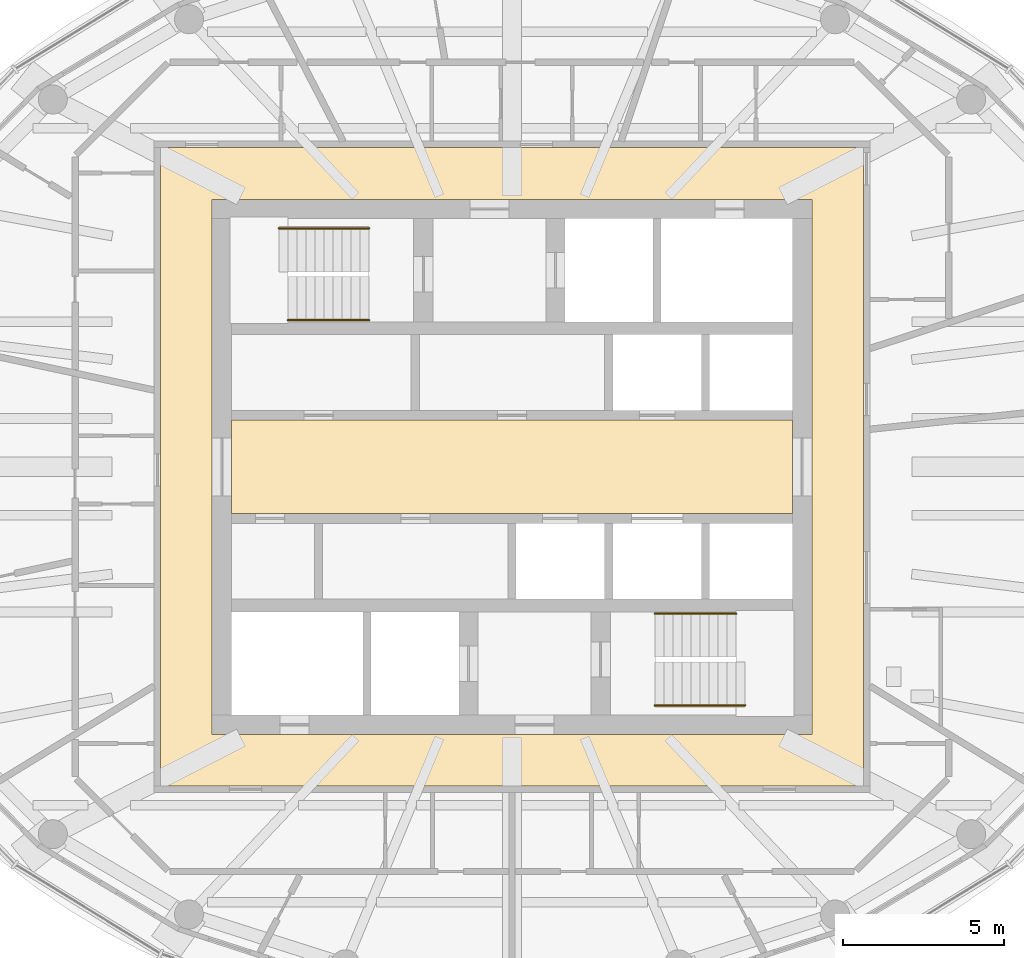
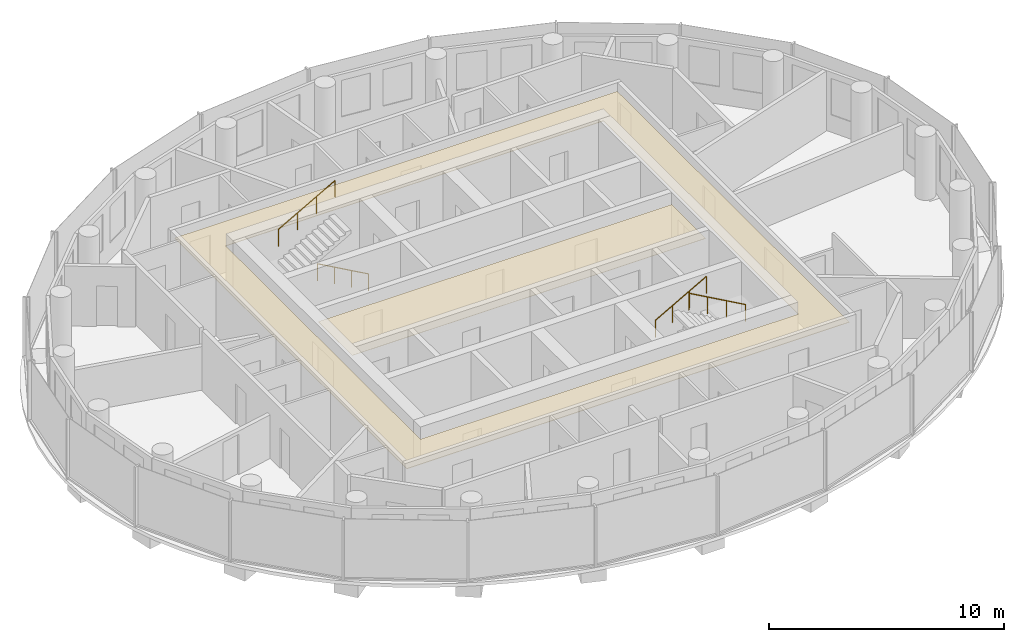
# One storey, part 10 of 11: 4 railings, 2 coverings.
"""IFC4 building model written with IfcOpenShell, lengths in metres."""

from ifc_helpers import new_model, si_unit, direction, frame, origin, origin_2d, place, context, subcontext, project, spatial, polyline, circle, outline, extrude, material, layer, layer_set, type_object, element, save


model = new_model("IFC4")

# Units and contexts
model_context = context("Model", 3, precision=1e-05, world=origin(), true_north=direction((0.0, 1.0)))
body_context = subcontext(model_context, "Body", "Model", "MODEL_VIEW")
ifc_project = project(units=[si_unit("LENGTHUNIT", "METRE"), si_unit("AREAUNIT", "SQUARE_METRE"), si_unit("VOLUMEUNIT", "CUBIC_METRE"), si_unit("PLANEANGLEUNIT", "RADIAN"), si_unit("MASSUNIT", "GRAM", prefix="KILO")], contexts=[model_context])

# Site, building, storey
site_placement = place(None, origin())
site = spatial("IfcSite", under=ifc_project, at=site_placement, CompositionType="ELEMENT")
building_placement = place(site_placement, origin())
building = spatial("IfcBuilding", under=site, at=building_placement, Name="Hankou Lantern Tower", CompositionType="ELEMENT")
storey_placement = place(building_placement, frame((0.0, 0.0, 192.89990234375)))
storey = spatial("IfcBuildingStorey", under=building, at=storey_placement, Name="L51", CompositionType="ELEMENT", Elevation=192.89990234375)

# Coverings
ifc_material_1 = material(Name="Black painted aluminium linear ceiling panels", Category="aluminium")
ifc_layer_1 = layer(ifc_material_1, 0.02490234375)
ifc_layer_set_1 = layer_set([ifc_layer_1], Name="Black painted aluminium linear ceiling panels")
covering_type_1 = type_object("IfcCoveringType", Name="CL1 CORRIDOR CEILING 25", PredefinedType="CEILING", material=ifc_layer_set_1)
covering_1_placement = place(storey_placement, frame((0.0, 0.0, 2.64501953125)))
element("IfcCovering", 1, at=covering_1_placement, inside=storey, type_object=covering_type_1, Name="Corridor ceiling L51", PredefinedType="CEILING", context=body_context, shape_type="SweptSolid", body=[
    extrude(outline(polyline([(-10.89990234375, -9.89990234375), (10.89990234375, -9.89990234375), (10.89990234375, 9.89990234375), (-10.89990234375, 9.89990234375), (-10.89990234375, -9.89990234375)]), holes=[polyline([(-9.300048828125, 8.300048828125), (9.300048828125, 8.300048828125), (9.300048828125, -8.300048828125), (-9.300048828125, -8.300048828125), (-9.300048828125, 8.300048828125)])]), origin(), (0.0, 0.0, 1.0), 0.025146484375),
])
ifc_material_2 = material(Name="Perforated black aluminium acoustic tray ceiling", Category="aluminium")
ifc_layer_2 = layer(ifc_material_2, 0.014892578125)
ifc_layer_set_2 = layer_set([ifc_layer_2], Name="Perforated black aluminium acoustic tray ceiling")
covering_type_2 = type_object("IfcCoveringType", Name="CL2 LIFT LOBBY CEILING 15", PredefinedType="CEILING", material=ifc_layer_set_2)
covering_2_placement = place(storey_placement, frame((0.0, 0.0, 2.655029296875)))
element("IfcCovering", 2, at=covering_2_placement, inside=storey, type_object=covering_type_2, Name="Lift lobby ceiling L51", PredefinedType="CEILING", context=body_context, shape_type="SweptSolid", body=[
    extrude(outline(polyline([(-8.699951171875, -1.449951171875), (8.699951171875, -1.449951171875), (8.699951171875, 1.449951171875), (-8.699951171875, 1.449951171875), (-8.699951171875, -1.449951171875)])), origin(), (0.0, 0.0, 1.0), 0.01513671875),
])

# Railings
ifc_material_3 = material(Name="Steel handrail", Category="steel")
railing_type = type_object("IfcRailingType", Name="HR1 STAIR HANDRAIL", PredefinedType="HANDRAIL", material=ifc_material_3)
railing_1_placement = place(storey_placement, frame((-4.429931640625, 4.550048828125, 0.900146484375)))
element("IfcRailing", 3, at=railing_1_placement, inside=storey, type_object=railing_type, Name="Handrail stair STA L51 flight 1", PredefinedType="HANDRAIL", context=body_context, shape_type="SweptSolid", body=[
    extrude(circle(Radius=0.02392578125, at=origin_2d()), frame((0.0, 0.0, 0.8759765625), z_axis=(-0.872048945198, 0.0, 0.489418672692), x_axis=(0.0, -1.0, 0.0)), (0.0, 0.0, 1.0), 2.8896484375),
    extrude(circle(Radius=0.02099609375, at=origin_2d()), origin(), (0.0, 0.0, 1.0), 0.851806640625),
    extrude(circle(Radius=0.02099609375, at=origin_2d()), frame((-0.840087890625, 0.0, 0.471435546875)), (0.0, 0.0, 1.0), 0.851806640625),
    extrude(circle(Radius=0.02099609375, at=origin_2d()), frame((-1.679931640625, 0.0, 0.94287109375)), (0.0, 0.0, 1.0), 0.851806640625),
    extrude(circle(Radius=0.02099609375, at=origin_2d()), frame((-2.52001953125, 0.0, 1.414306640625)), (0.0, 0.0, 1.0), 0.851806640625),
])
railing_2_placement = place(storey_placement, frame((-7.22998046875, 7.39990234375, 2.471435546875)))
element("IfcRailing", 4, at=railing_2_placement, inside=storey, type_object=railing_type, Name="Handrail stair STA L51 flight 2", PredefinedType="HANDRAIL", context=body_context, shape_type="SweptSolid", body=[
    extrude(circle(Radius=0.02392578125, at=origin_2d()), frame((0.0, 0.0, 0.8759765625), z_axis=(0.872040151574, 0.0, 0.489434340891), x_axis=(0.0, 1.0, 0.0)), (0.0, 0.0, 1.0), 3.2109375),
    extrude(circle(Radius=0.02099609375, at=origin_2d()), origin(), (0.0, 0.0, 1.0), 0.851806640625),
    extrude(circle(Radius=0.02099609375, at=origin_2d()), frame((0.933349609375, 0.0, 0.52392578125)), (0.0, 0.0, 1.0), 0.851806640625),
    extrude(circle(Radius=0.02099609375, at=origin_2d()), frame((1.86669921875, 0.0, 1.047607421875)), (0.0, 0.0, 1.0), 0.851806640625),
    extrude(circle(Radius=0.02099609375, at=origin_2d()), frame((2.800048828125, 0.0, 1.571533203125)), (0.0, 0.0, 1.0), 0.851806640625),
])
railing_3_placement = place(storey_placement, frame((4.429931640625, -4.550048828125, 0.900146484375)))
element("IfcRailing", 5, at=railing_3_placement, inside=storey, type_object=railing_type, Name="Handrail stair STB L51 flight 1", PredefinedType="HANDRAIL", context=body_context, shape_type="SweptSolid", body=[
    extrude(circle(Radius=0.02392578125, at=origin_2d()), frame((0.0, 0.0, 0.8759765625), z_axis=(0.872048945198, 0.0, 0.489418672692), x_axis=(0.0, 1.0, 0.0)), (0.0, 0.0, 1.0), 2.8896484375),
    extrude(circle(Radius=0.02099609375, at=origin_2d()), origin(), (0.0, 0.0, 1.0), 0.851806640625),
    extrude(circle(Radius=0.02099609375, at=origin_2d()), frame((0.840087890625, 0.0, 0.471435546875)), (0.0, 0.0, 1.0), 0.851806640625),
    extrude(circle(Radius=0.02099609375, at=origin_2d()), frame((1.679931640625, 0.0, 0.94287109375)), (0.0, 0.0, 1.0), 0.851806640625),
    extrude(circle(Radius=0.02099609375, at=origin_2d()), frame((2.52001953125, 0.0, 1.414306640625)), (0.0, 0.0, 1.0), 0.851806640625),
])
railing_4_placement = place(storey_placement, frame((7.22998046875, -7.39990234375, 2.471435546875)))
element("IfcRailing", 6, at=railing_4_placement, inside=storey, type_object=railing_type, Name="Handrail stair STB L51 flight 2", PredefinedType="HANDRAIL", context=body_context, shape_type="SweptSolid", body=[
    extrude(circle(Radius=0.02392578125, at=origin_2d()), frame((0.0, 0.0, 0.8759765625), z_axis=(-0.872040151574, 0.0, 0.489434340891), x_axis=(0.0, -1.0, 0.0)), (0.0, 0.0, 1.0), 3.2109375),
    extrude(circle(Radius=0.02099609375, at=origin_2d()), origin(), (0.0, 0.0, 1.0), 0.851806640625),
    extrude(circle(Radius=0.02099609375, at=origin_2d()), frame((-0.933349609375, 0.0, 0.52392578125)), (0.0, 0.0, 1.0), 0.851806640625),
    extrude(circle(Radius=0.02099609375, at=origin_2d()), frame((-1.86669921875, 0.0, 1.047607421875)), (0.0, 0.0, 1.0), 0.851806640625),
    extrude(circle(Radius=0.02099609375, at=origin_2d()), frame((-2.800048828125, 0.0, 1.571533203125)), (0.0, 0.0, 1.0), 0.851806640625),
])

save(model, "model.ifc")
